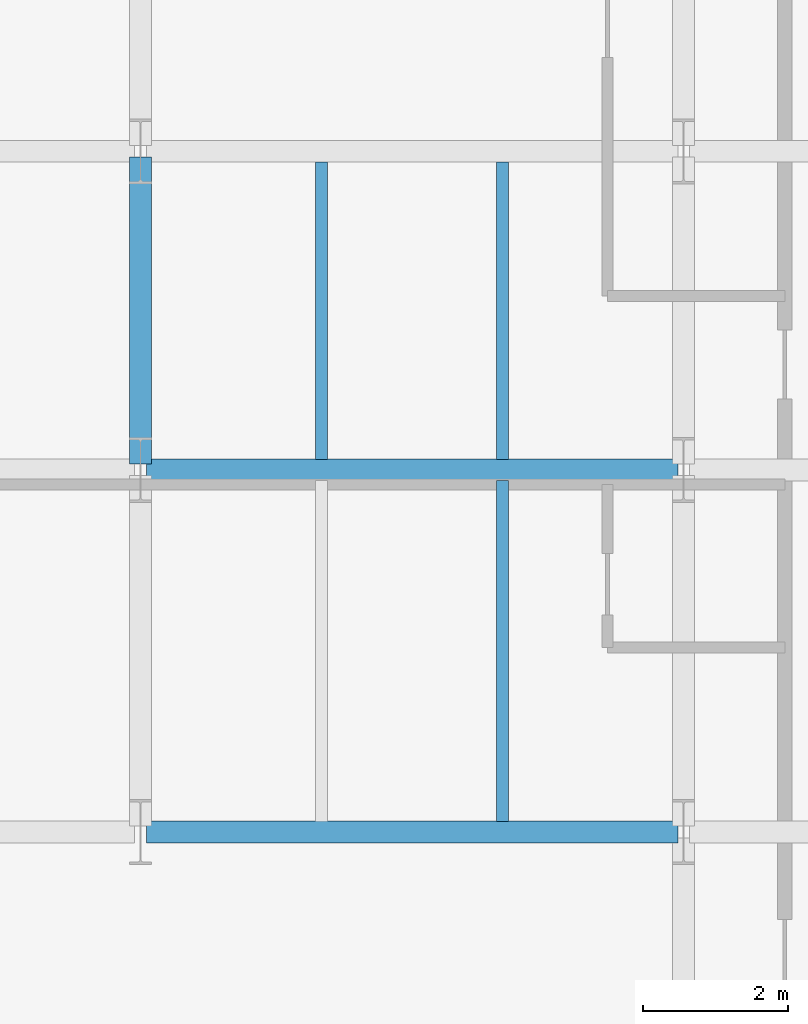
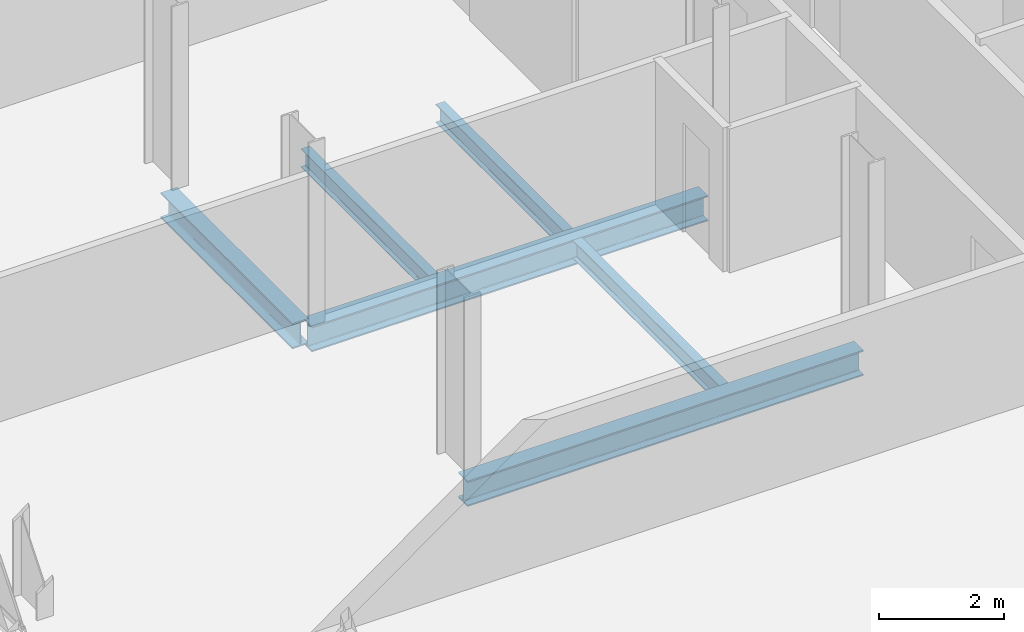
# One storey, part 6 of 33: 6 beams.
"""IFC4 building model written with IfcOpenShell, lengths in metres."""

from ifc_helpers import new_model, si_unit, direction, frame, origin, origin_2d, place, context, subcontext, project, spatial, i_section, extrude, material, material_profile, profile_set, type_object, element, save


model = new_model("IFC4")

# Units and contexts
model_context = context("Model", 3, precision=1e-05, world=origin(), true_north=direction((0.0, 1.0)))
body_context = subcontext(model_context, "Body", "Model", "MODEL_VIEW")
ifc_project = project(units=[si_unit("LENGTHUNIT", "METRE"), si_unit("AREAUNIT", "SQUARE_METRE"), si_unit("VOLUMEUNIT", "CUBIC_METRE"), si_unit("PLANEANGLEUNIT", "RADIAN"), si_unit("MASSUNIT", "GRAM", prefix="KILO")], contexts=[model_context])

# Site, building, storey
site_placement = place(None, origin())
site = spatial("IfcSite", under=ifc_project, at=site_placement, CompositionType="ELEMENT")
building_placement = place(site_placement, origin())
building = spatial("IfcBuilding", under=site, at=building_placement, Name="Catumbela Crestline Tower", CompositionType="ELEMENT")
storey_placement = place(building_placement, frame((0.0, 0.0, 43.8)))
storey = spatial("IfcBuildingStorey", under=building, at=storey_placement, Name="L10", CompositionType="ELEMENT", Elevation=43.8)

# Beams
ifc_material = material(Name="Structural steel S355J2", Category="steel")
ifc_material_profile_1 = material_profile(ifc_material, i_section(OverallWidth=0.3, OverallDepth=0.5, WebThickness=0.0145, FlangeThickness=0.028, FilletRadius=0.027, at=origin_2d()), Name="HEB 500")
ifc_profile_set_1 = profile_set([ifc_material_profile_1], Name="Structural steel S355J2")
beam_type_1 = type_object("IfcBeamType", Name="BG-HEB500", PredefinedType="BEAM", material=ifc_profile_set_1)
for number, where, z_axis, x_axis, name in (
    (1, (8.58, 8.6, -0.51), (1.0, 0.0, 0.0), (0.0, 1.0, 0.0), "L10 Beam BM-L10-WEW49"),
    (2, (8.58, 13.6, -0.51), (1.0, 0.0, 0.0), (0.0, 1.0, 0.0), "L10 Beam BM-L10-WEW52"),
):
    element("IfcBeam", number, at=place(storey_placement, frame(where, z_axis=z_axis, x_axis=x_axis)), inside=storey, type_object=beam_type_1, Name=name, PredefinedType="BEAM", context=body_context, shape_type="SweptSolid", body=[
        extrude(i_section(OverallWidth=0.3, OverallDepth=0.5, WebThickness=0.0145, FlangeThickness=0.028, FilletRadius=0.027, at=origin_2d()), origin(), (0.0, 0.0, 1.0), 7.34),
    ])
beam_1_placement = place(storey_placement, frame((8.5, 13.68, -0.51), z_axis=(0.0, 1.0, 0.0), x_axis=(-1.0, 0.0, 0.0)))
element("IfcBeam", 3, at=beam_1_placement, inside=storey, type_object=beam_type_1, Name="L10 Beam BM-L10-WNS62", PredefinedType="BEAM", context=body_context, shape_type="SweptSolid", body=[
    extrude(i_section(OverallWidth=0.3, OverallDepth=0.5, WebThickness=0.0145, FlangeThickness=0.028, FilletRadius=0.027, at=origin_2d()), origin(), (0.0, 0.0, 1.0), 4.24),
])
ifc_material_profile_2 = material_profile(ifc_material, i_section(OverallWidth=0.17, OverallDepth=0.36, WebThickness=0.008, FlangeThickness=0.0127, FilletRadius=0.018, at=origin_2d()), Name="IPE 360")
ifc_profile_set_2 = profile_set([ifc_material_profile_2], Name="Structural steel S355J2")
beam_type_2 = type_object("IfcBeamType", Name="BJ-IPE360", PredefinedType="JOIST", material=ifc_profile_set_2)
beam_2_placement = place(storey_placement, frame((13.5, 8.747, -0.44), z_axis=(0.0, 1.0, 0.0), x_axis=(-1.0, 0.0, 0.0)))
element("IfcBeam", 4, at=beam_2_placement, inside=storey, type_object=beam_type_2, Name="L10 Joist JS-L10-WG73", PredefinedType="JOIST", context=body_context, shape_type="SweptSolid", body=[
    extrude(i_section(OverallWidth=0.17, OverallDepth=0.36, WebThickness=0.008, FlangeThickness=0.0127, FilletRadius=0.018, at=origin_2d()), origin(), (0.0, 0.0, 1.0), 4.706),
])
for number, where, z_axis, x_axis, name in (
    (5, (11.0, 13.747, -0.44), (0.0, 1.0, 0.0), (-1.0, 0.0, 0.0), "L10 Joist JS-L10-WG78"),
    (6, (13.5, 13.747, -0.44), (0.0, 1.0, 0.0), (-1.0, 0.0, 0.0), "L10 Joist JS-L10-WG79"),
):
    element("IfcBeam", number, at=place(storey_placement, frame(where, z_axis=z_axis, x_axis=x_axis)), inside=storey, type_object=beam_type_2, Name=name, PredefinedType="JOIST", context=body_context, shape_type="SweptSolid", body=[
        extrude(i_section(OverallWidth=0.17, OverallDepth=0.36, WebThickness=0.008, FlangeThickness=0.0127, FilletRadius=0.018, at=origin_2d()), origin(), (0.0, 0.0, 1.0), 4.106),
    ])

save(model, "model.ifc")
